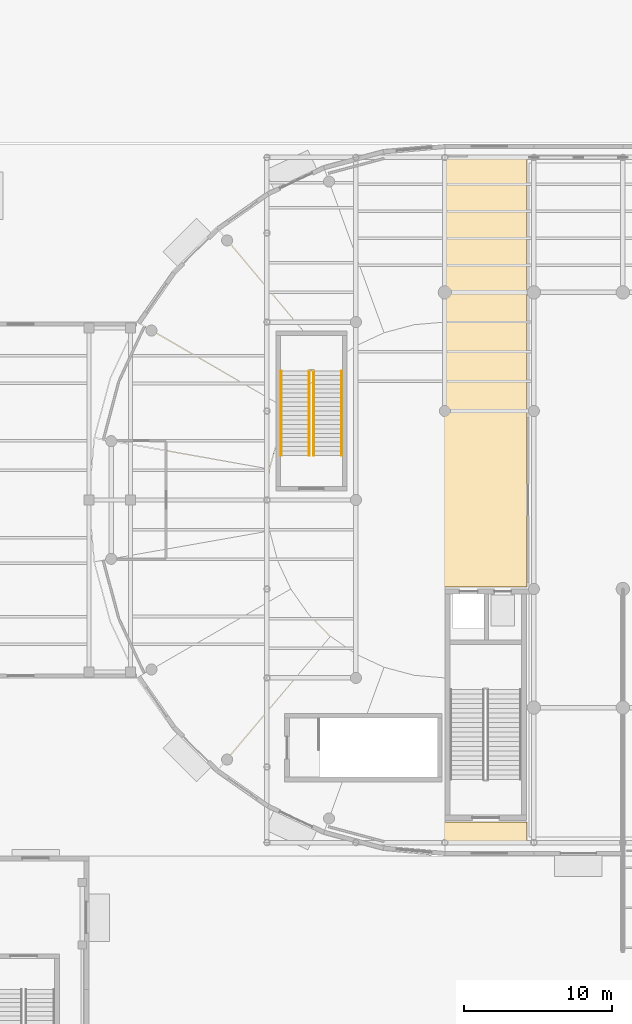
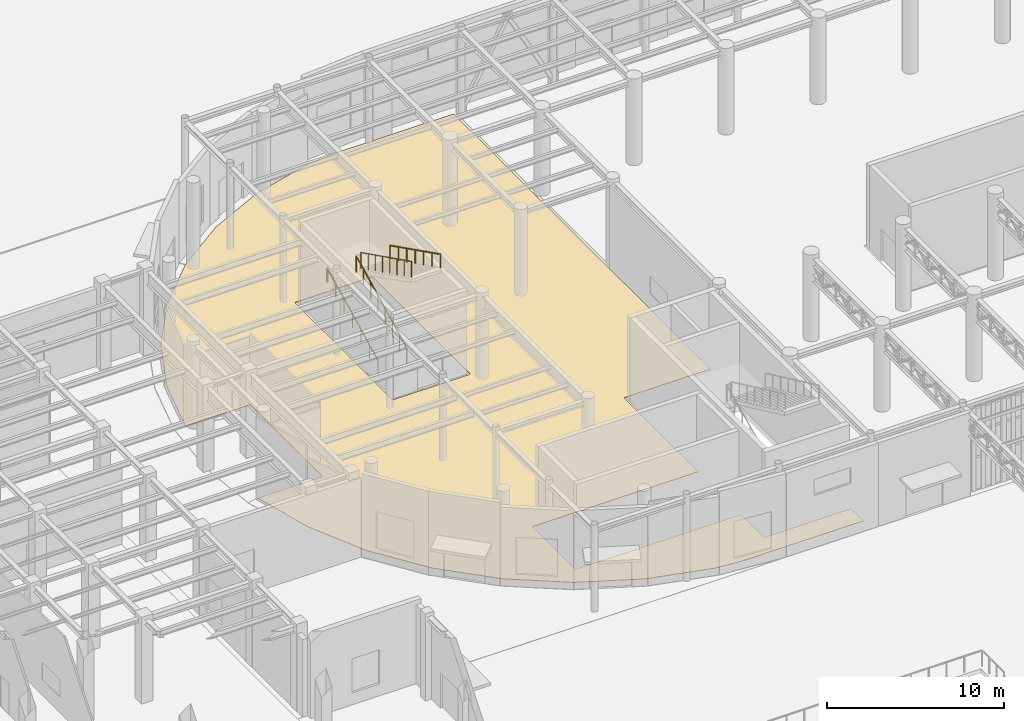
# One storey, part 105 of 118: 4 railings, 1 covering, 1 element without a shape of its own.
"""IFC4 building model written with IfcOpenShell, lengths in metres."""

from ifc_helpers import new_model, si_unit, direction, frame, origin, origin_2d, place, context, subcontext, project, spatial, polyline, circle, outline, extrude, material, layer, layer_set, type_object, element, aggregate, save


model = new_model("IFC4")

# Units and contexts
model_context = context("Model", 3, precision=1e-05, world=origin(), true_north=direction((0.0, 1.0)))
body_context = subcontext(model_context, "Body", "Model", "MODEL_VIEW")
ifc_project = project(units=[si_unit("LENGTHUNIT", "METRE"), si_unit("AREAUNIT", "SQUARE_METRE"), si_unit("VOLUMEUNIT", "CUBIC_METRE"), si_unit("PLANEANGLEUNIT", "RADIAN"), si_unit("MASSUNIT", "GRAM", prefix="KILO")], contexts=[model_context])

# Site, building, storey
site_placement = place(None, origin())
site = spatial("IfcSite", under=ifc_project, at=site_placement, CompositionType="ELEMENT")
building_placement = place(site_placement, origin())
building = spatial("IfcBuilding", under=site, at=building_placement, Name="Kolvaren Corner Interchange", CompositionType="ELEMENT")
storey_placement = place(building_placement, origin())
storey = spatial("IfcBuildingStorey", under=building, at=storey_placement, Name="L01", CompositionType="ELEMENT", Elevation=0.0)

# Covering
ifc_material_1 = material(Name="Polished Niger Delta Granite Terrazzo Flooring", Category="masonry")
ifc_layer = layer(ifc_material_1, 0.030029296875)
ifc_layer_set = layer_set([ifc_layer], Name="Polished Niger Delta Granite Terrazzo Flooring")
covering_type = type_object("IfcCoveringType", Name="COV-FLR-TER30", PredefinedType="FLOORING", material=ifc_layer_set)
covering_placement = place(storey_placement, origin())
element("IfcCovering", 1, at=covering_placement, inside=storey, type_object=covering_type, Name="L01 Ticket Hall and Metro Gateline Floor Finish", PredefinedType="FLOORING", context=body_context, shape_type="SweptSolid", body=[
    extrude(outline(polyline([(37.042724609375, 43.919921875), (38.086669921875, 40.024169921875), (39.804443359375, 36.340087890625), (42.135986328125, 33.010498046875), (45.010498046875, 30.135986328125), (48.340087890625, 27.804443359375), (52.024169921875, 26.086669921875), (55.950439453125, 25.03466796875), (57.717529296875, 24.8798828125), (65.52001953125, 24.8798828125), (65.52001953125, 26.27001953125), (59.949951171875, 26.27001953125), (59.905517578125, 26.283447265625), (59.8701171875, 26.35009765625), (59.8701171875, 28.87255859375), (49.1123046875, 28.87939453125), (49.070068359375, 28.949951171875), (49.070068359375, 33.64990234375), (49.093505859375, 33.70654296875), (49.14990234375, 33.72998046875), (59.8701171875, 33.727294921875), (59.8701171875, 42.050048828125), (59.883544921875, 42.094482421875), (59.949951171875, 42.1298828125), (65.52001953125, 42.1298828125), (65.52001953125, 71.1201171875), (57.717529296875, 71.1201171875), (55.950439453125, 70.96533203125), (52.024169921875, 69.913330078125), (48.340087890625, 68.195556640625), (45.010498046875, 65.864013671875), (42.135986328125, 62.989501953125), (39.804443359375, 59.659912109375), (38.086669921875, 55.975830078125), (37.053955078125, 52.080078125), (41.199951171875, 52.080078125), (41.2705078125, 52.03759765625), (41.27392578125, 43.969482421875), (41.244384765625, 43.93359375), (41.199951171875, 43.919921875), (37.042724609375, 43.919921875)]), holes=[polyline([(48.493408203125, 48.493408203125), (48.469970703125, 48.550048828125), (48.47607421875, 59.480712890625), (48.505615234375, 59.5166015625), (48.550048828125, 59.530029296875), (53.480712890625, 59.52392578125), (53.5166015625, 59.494384765625), (53.530029296875, 59.449951171875), (53.52392578125, 48.519287109375), (53.494384765625, 48.4833984375), (53.449951171875, 48.469970703125), (48.550048828125, 48.469970703125), (48.493408203125, 48.493408203125)])]), origin(), (0.0, 0.0, 1.0), 0.030029296875),
])

# Stair, railings
ifc_material_2 = material(Name="Concrete C35/45", Category="concrete")
stair_type = type_object("IfcStairType", Name="ST-GL-2000", PredefinedType="HALF_TURN_STAIR", material=ifc_material_2)
stair_placement = place(storey_placement, origin())
stair = element("IfcStair", 2, at=stair_placement, inside=storey, type_object=stair_type, Name="West Racetrack Concourse Gallery Stair L01 to L02 Stair", PredefinedType="HALF_TURN_STAIR")
ifc_material_3 = material(Name="Powder-Coated Steel Stairwell Guardrail", Category="steel")
railing_type_1 = type_object("IfcRailingType", Name="RLT-STAIR-GRD1120", PredefinedType="GUARDRAIL", material=ifc_material_3)
railing_1_placement = place(storey_placement, frame((50.85009765625, 51.0, 0.14990234375)))
railing_1 = element("IfcRailing", 3, at=railing_1_placement, type_object=railing_type_1, Name="West Racetrack Concourse Gallery Stair L01 Lower Flight Well Guardrail", PredefinedType="GUARDRAIL", context=body_context, shape_type="SweptSolid", body=[
    extrude(circle(Radius=0.02392578125, at=origin_2d()), frame((0.0, 0.0, 1.09619140625), z_axis=(0.0, 0.894419528903, 0.447228919365), x_axis=(-1.0, 0.0, 0.0)), (0.0, 0.0, 1.0), 6.372802734375),
    extrude(circle(Radius=0.02001953125, at=origin_2d()), origin(), (0.0, 0.0, 1.0), 1.072021484375),
    extrude(circle(Radius=0.02001953125, at=origin_2d()), frame((0.0, 0.814208984375, 0.4072265625)), (0.0, 0.0, 1.0), 1.072021484375),
    extrude(circle(Radius=0.02001953125, at=origin_2d()), frame((0.0, 1.628662109375, 0.814208984375)), (0.0, 0.0, 1.0), 1.072021484375),
    extrude(circle(Radius=0.02001953125, at=origin_2d()), frame((0.0, 2.44287109375, 1.221435546875)), (0.0, 0.0, 1.0), 1.072021484375),
    extrude(circle(Radius=0.02001953125, at=origin_2d()), frame((0.0, 3.257080078125, 1.628662109375)), (0.0, 0.0, 1.0), 1.072021484375),
    extrude(circle(Radius=0.02001953125, at=origin_2d()), frame((0.0, 4.0712890625, 2.035888671875)), (0.0, 0.0, 1.0), 1.072021484375),
    extrude(circle(Radius=0.02001953125, at=origin_2d()), frame((0.0, 4.8857421875, 2.44287109375)), (0.0, 0.0, 1.0), 1.072021484375),
    extrude(circle(Radius=0.02001953125, at=origin_2d()), frame((0.0, 5.699951171875, 2.85009765625)), (0.0, 0.0, 1.0), 1.072021484375),
])
railing_2_placement = place(storey_placement, frame((51.14990234375, 56.699951171875, 3.14990234375)))
railing_2 = element("IfcRailing", 4, at=railing_2_placement, type_object=railing_type_1, Name="West Racetrack Concourse Gallery Stair L01 Upper Flight Well Guardrail", PredefinedType="GUARDRAIL", context=body_context, shape_type="SweptSolid", body=[
    extrude(circle(Radius=0.02392578125, at=origin_2d()), frame((0.0, 0.0, 1.09619140625), z_axis=(0.0, -0.894419528903, 0.447228919365), x_axis=(1.0, 0.0, 0.0)), (0.0, 0.0, 1.0), 6.372802734375),
    extrude(circle(Radius=0.02001953125, at=origin_2d()), origin(), (0.0, 0.0, 1.0), 1.072021484375),
    extrude(circle(Radius=0.02001953125, at=origin_2d()), frame((0.0, -0.814208984375, 0.4072265625)), (0.0, 0.0, 1.0), 1.072021484375),
    extrude(circle(Radius=0.02001953125, at=origin_2d()), frame((0.0, -1.628662109375, 0.814208984375)), (0.0, 0.0, 1.0), 1.072021484375),
    extrude(circle(Radius=0.02001953125, at=origin_2d()), frame((0.0, -2.44287109375, 1.221435546875)), (0.0, 0.0, 1.0), 1.072021484375),
    extrude(circle(Radius=0.02001953125, at=origin_2d()), frame((0.0, -3.257080078125, 1.628662109375)), (0.0, 0.0, 1.0), 1.072021484375),
    extrude(circle(Radius=0.02001953125, at=origin_2d()), frame((0.0, -4.0712890625, 2.035888671875)), (0.0, 0.0, 1.0), 1.072021484375),
    extrude(circle(Radius=0.02001953125, at=origin_2d()), frame((0.0, -4.8857421875, 2.44287109375)), (0.0, 0.0, 1.0), 1.072021484375),
    extrude(circle(Radius=0.02001953125, at=origin_2d()), frame((0.0, -5.699951171875, 2.85009765625)), (0.0, 0.0, 1.0), 1.072021484375),
])
ifc_material_4 = material(Name="Brushed Stainless Steel Stair Handrail", Category="steel")
railing_type_2 = type_object("IfcRailingType", Name="RLT-STAIR-HR950", PredefinedType="HANDRAIL", material=ifc_material_4)
railing_3_placement = place(storey_placement, frame((48.9599609375, 51.0, 0.14990234375)))
railing_3 = element("IfcRailing", 5, at=railing_3_placement, type_object=railing_type_2, Name="West Racetrack Concourse Gallery Stair L01 Lower Flight Wall Handrail", PredefinedType="HANDRAIL", context=body_context, shape_type="SweptSolid", body=[
    extrude(circle(Radius=0.02197265625, at=origin_2d()), frame((0.0, 0.0, 0.927978515625), z_axis=(0.0, 0.894419528903, 0.447228919365), x_axis=(-1.0, 0.0, 0.0)), (0.0, 0.0, 1.0), 6.372802734375),
    extrude(circle(Radius=0.01806640625, at=origin_2d()), origin(), (0.0, 0.0, 1.0), 0.906005859375),
    extrude(circle(Radius=0.01806640625, at=origin_2d()), frame((0.0, 0.949951171875, 0.47509765625)), (0.0, 0.0, 1.0), 0.906005859375),
    extrude(circle(Radius=0.01806640625, at=origin_2d()), frame((0.0, 1.89990234375, 0.949951171875)), (0.0, 0.0, 1.0), 0.906005859375),
    extrude(circle(Radius=0.01806640625, at=origin_2d()), frame((0.0, 2.85009765625, 1.425048828125)), (0.0, 0.0, 1.0), 0.906005859375),
    extrude(circle(Radius=0.01806640625, at=origin_2d()), frame((0.0, 3.800048828125, 1.900146484375)), (0.0, 0.0, 1.0), 0.906005859375),
    extrude(circle(Radius=0.01806640625, at=origin_2d()), frame((0.0, 4.75, 2.375)), (0.0, 0.0, 1.0), 0.906005859375),
    extrude(circle(Radius=0.01806640625, at=origin_2d()), frame((0.0, 5.699951171875, 2.85009765625)), (0.0, 0.0, 1.0), 0.906005859375),
])
railing_4_placement = place(storey_placement, frame((53.0400390625, 56.699951171875, 3.14990234375)))
railing_4 = element("IfcRailing", 6, at=railing_4_placement, type_object=railing_type_2, Name="West Racetrack Concourse Gallery Stair L01 Upper Flight Wall Handrail", PredefinedType="HANDRAIL", context=body_context, shape_type="SweptSolid", body=[
    extrude(circle(Radius=0.02197265625, at=origin_2d()), frame((0.0, 0.0, 0.927978515625), z_axis=(0.0, -0.894419528903, 0.447228919365), x_axis=(1.0, 0.0, 0.0)), (0.0, 0.0, 1.0), 6.372802734375),
    extrude(circle(Radius=0.01806640625, at=origin_2d()), origin(), (0.0, 0.0, 1.0), 0.906005859375),
    extrude(circle(Radius=0.01806640625, at=origin_2d()), frame((0.0, -0.949951171875, 0.47509765625)), (0.0, 0.0, 1.0), 0.906005859375),
    extrude(circle(Radius=0.01806640625, at=origin_2d()), frame((0.0, -1.89990234375, 0.949951171875)), (0.0, 0.0, 1.0), 0.906005859375),
    extrude(circle(Radius=0.01806640625, at=origin_2d()), frame((0.0, -2.85009765625, 1.425048828125)), (0.0, 0.0, 1.0), 0.906005859375),
    extrude(circle(Radius=0.01806640625, at=origin_2d()), frame((0.0, -3.800048828125, 1.900146484375)), (0.0, 0.0, 1.0), 0.906005859375),
    extrude(circle(Radius=0.01806640625, at=origin_2d()), frame((0.0, -4.75, 2.375)), (0.0, 0.0, 1.0), 0.906005859375),
    extrude(circle(Radius=0.01806640625, at=origin_2d()), frame((0.0, -5.699951171875, 2.85009765625)), (0.0, 0.0, 1.0), 0.906005859375),
])
aggregate(stair, [railing_1, railing_2, railing_3, railing_4])

save(model, "model.ifc")
